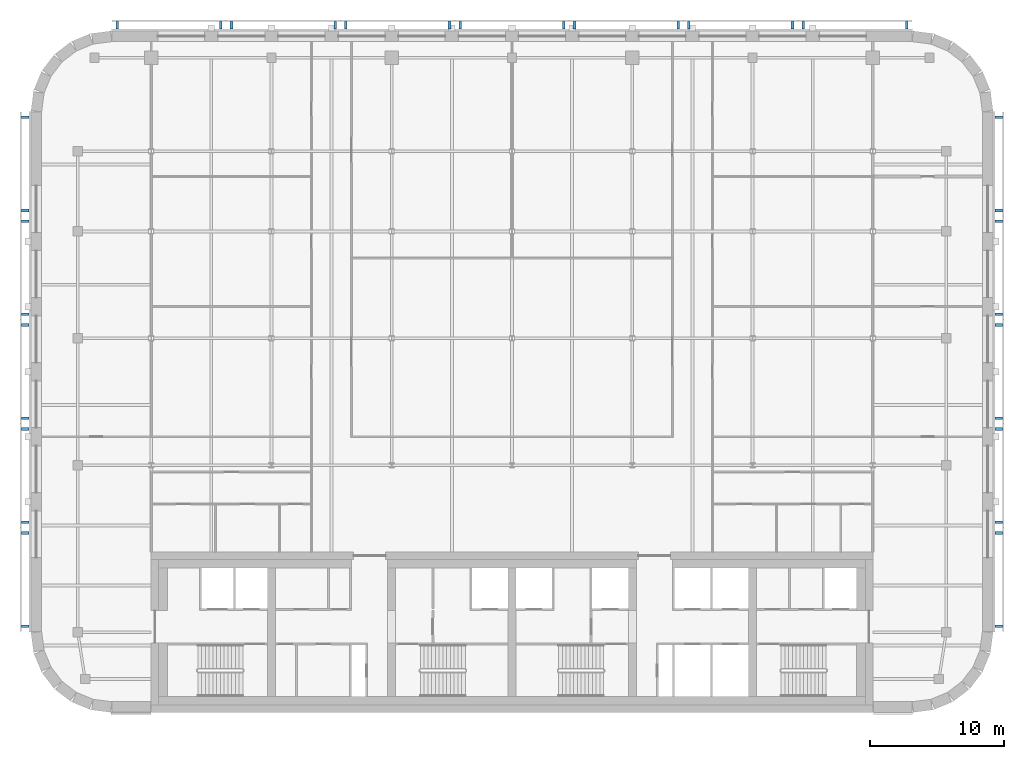
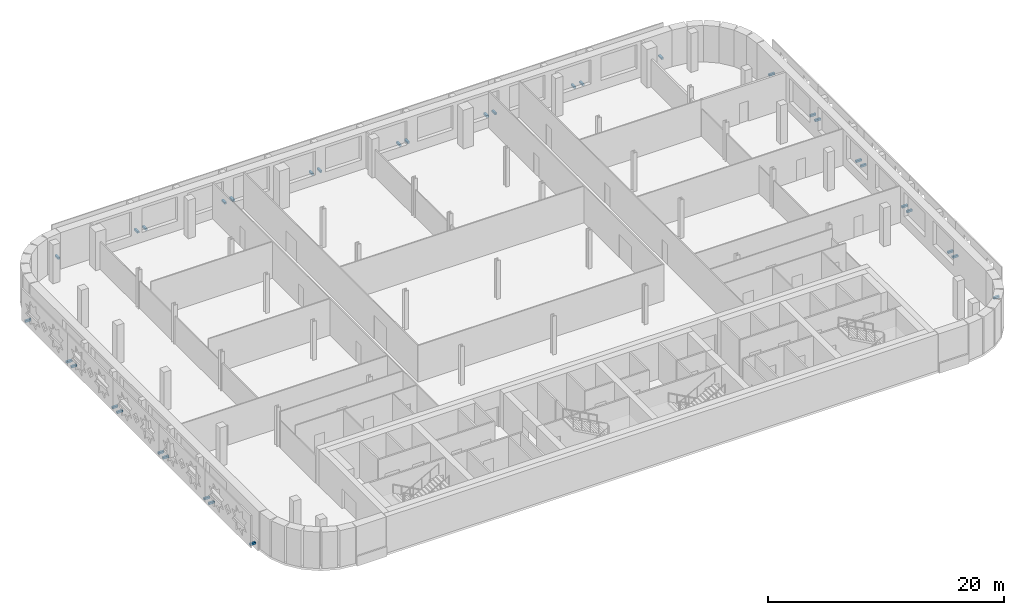
# One storey, part 12 of 16: 34 discrete accessories.
"""IFC4 building model written with IfcOpenShell, lengths in metres."""

from ifc_helpers import new_model, si_unit, direction, frame, origin, origin_2d, place, context, subcontext, project, spatial, rectangle, extrude, material, type_object, element, save


model = new_model("IFC4")

# Units and contexts
model_context = context("Model", 3, precision=1e-05, world=origin(), true_north=direction((0.0, 1.0)))
body_context = subcontext(model_context, "Body", "Model", "MODEL_VIEW")
ifc_project = project(units=[si_unit("LENGTHUNIT", "METRE"), si_unit("AREAUNIT", "SQUARE_METRE"), si_unit("VOLUMEUNIT", "CUBIC_METRE"), si_unit("PLANEANGLEUNIT", "RADIAN"), si_unit("MASSUNIT", "GRAM", prefix="KILO")], contexts=[model_context])

# Site, building, storey
site_placement = place(None, origin())
site = spatial("IfcSite", under=ifc_project, at=site_placement, CompositionType="ELEMENT")
building_placement = place(site_placement, origin())
building = spatial("IfcBuilding", under=site, at=building_placement, Name="Zellij Exchange Tower", CompositionType="ELEMENT")
storey_placement = place(building_placement, frame((0.0, 0.0, 280.5)))
storey = spatial("IfcBuildingStorey", under=building, at=storey_placement, Name="L66", CompositionType="ELEMENT", Elevation=280.5)

# Discrete accessories
ifc_material = material(Name="Stainless steel", Category="steel")
discrete_accessory_type = type_object("IfcDiscreteAccessoryType", Name="ENV-BR1 Stone panel bracket 200", PredefinedType="USERDEFINED", material=ifc_material)
for number, where, z_axis, x_axis, name in (
    (1, (-36.425048828125, 30.547607421875, 0.2998046875), (0.0, 0.0, 1.0), (0.0, -1.0, 0.0), "Panel bracket"),
    (2, (-36.425048828125, 23.568603515625, 0.2998046875), (0.0, 0.0, 1.0), (0.0, -1.0, 0.0), "Panel bracket"),
    (3, (-36.425048828125, 22.7685546875, 0.2998046875), (0.0, 0.0, 1.0), (0.0, -1.0, 0.0), "Panel bracket"),
    (4, (-36.425048828125, 15.78955078125, 0.2998046875), (0.0, 0.0, 1.0), (0.0, -1.0, 0.0), "Panel bracket"),
    (5, (-36.425048828125, 14.989501953125, 0.2998046875), (0.0, 0.0, 1.0), (0.0, -1.0, 0.0), "Panel bracket"),
    (6, (-36.425048828125, 8.010498046875, 0.2998046875), (0.0, 0.0, 1.0), (0.0, -1.0, 0.0), "Panel bracket"),
    (7, (-36.425048828125, 7.21044921875, 0.2998046875), (0.0, 0.0, 1.0), (0.0, -1.0, 0.0), "Panel bracket"),
    (8, (-36.425048828125, 0.2314453125, 0.2998046875), (0.0, 0.0, 1.0), (0.0, -1.0, 0.0), "Panel bracket"),
    (9, (-36.425048828125, -0.568603515625, 0.2998046875), (0.0, 0.0, 1.0), (0.0, -1.0, 0.0), "Panel bracket"),
    (10, (-36.425048828125, -7.547607421875, 0.2998046875), (0.0, 0.0, 1.0), (0.0, -1.0, 0.0), "Panel bracket"),
    (11, (29.547607421875, 37.425048828125, 0.2998046875), (0.0, 0.0, 1.0), (-1.0, 0.0, 0.0), "Panel bracket"),
    (12, (21.791015625, 37.425048828125, 0.2998046875), (0.0, 0.0, 1.0), (-1.0, 0.0, 0.0), "Panel bracket"),
    (13, (20.9912109375, 37.425048828125, 0.2998046875), (0.0, 0.0, 1.0), (-1.0, 0.0, 0.0), "Panel bracket"),
    (14, (13.234619140625, 37.425048828125, 0.2998046875), (0.0, 0.0, 1.0), (-1.0, 0.0, 0.0), "Panel bracket"),
    (15, (12.434814453125, 37.425048828125, 0.2998046875), (0.0, 0.0, 1.0), (-1.0, 0.0, 0.0), "Panel bracket"),
    (16, (4.67822265625, 37.425048828125, 0.2998046875), (0.0, 0.0, 1.0), (-1.0, 0.0, 0.0), "Panel bracket"),
    (17, (3.878173828125, 37.425048828125, 0.2998046875), (0.0, 0.0, 1.0), (-1.0, 0.0, 0.0), "Panel bracket"),
    (18, (-3.878173828125, 37.425048828125, 0.2998046875), (0.0, 0.0, 1.0), (-1.0, 0.0, 0.0), "Panel bracket"),
    (19, (-4.67822265625, 37.425048828125, 0.2998046875), (0.0, 0.0, 1.0), (-1.0, 0.0, 0.0), "Panel bracket"),
    (20, (-12.434814453125, 37.425048828125, 0.2998046875), (0.0, 0.0, 1.0), (-1.0, 0.0, 0.0), "Panel bracket"),
    (21, (-13.234619140625, 37.425048828125, 0.2998046875), (0.0, 0.0, 1.0), (-1.0, 0.0, 0.0), "Panel bracket"),
    (22, (-20.9912109375, 37.425048828125, 0.2998046875), (0.0, 0.0, 1.0), (-1.0, 0.0, 0.0), "Panel bracket"),
    (23, (-21.791015625, 37.425048828125, 0.2998046875), (0.0, 0.0, 1.0), (-1.0, 0.0, 0.0), "Panel bracket"),
    (24, (-29.547607421875, 37.425048828125, 0.2998046875), (0.0, 0.0, 1.0), (-1.0, 0.0, 0.0), "Panel bracket"),
    (25, (36.425048828125, -7.547607421875, 0.2998046875), (0.0, 0.0, 1.0), (0.0, 1.0, 0.0), "Panel bracket"),
    (26, (36.425048828125, -0.568603515625, 0.2998046875), (0.0, 0.0, 1.0), (0.0, 1.0, 0.0), "Panel bracket"),
    (27, (36.425048828125, 0.2314453125, 0.2998046875), (0.0, 0.0, 1.0), (0.0, 1.0, 0.0), "Panel bracket"),
    (28, (36.425048828125, 7.21044921875, 0.2998046875), (0.0, 0.0, 1.0), (0.0, 1.0, 0.0), "Panel bracket"),
    (29, (36.425048828125, 8.010498046875, 0.2998046875), (0.0, 0.0, 1.0), (0.0, 1.0, 0.0), "Panel bracket"),
    (30, (36.425048828125, 14.989501953125, 0.2998046875), (0.0, 0.0, 1.0), (0.0, 1.0, 0.0), "Panel bracket"),
    (31, (36.425048828125, 15.78955078125, 0.2998046875), (0.0, 0.0, 1.0), (0.0, 1.0, 0.0), "Panel bracket"),
    (32, (36.425048828125, 22.7685546875, 0.2998046875), (0.0, 0.0, 1.0), (0.0, 1.0, 0.0), "Panel bracket"),
    (33, (36.425048828125, 23.568603515625, 0.2998046875), (0.0, 0.0, 1.0), (0.0, 1.0, 0.0), "Panel bracket"),
    (34, (36.425048828125, 30.547607421875, 0.2998046875), (0.0, 0.0, 1.0), (0.0, 1.0, 0.0), "Panel bracket"),
):
    element("IfcDiscreteAccessory", number, at=place(storey_placement, frame(where, z_axis=z_axis, x_axis=x_axis)), inside=storey, type_object=discrete_accessory_type, Name=name, ObjectType="BRACKET", PredefinedType="USERDEFINED", context=body_context, shape_type="SweptSolid", body=[
        extrude(rectangle(XDim=0.199951171875, YDim=0.550048828125, at=origin_2d()), origin(), (0.0, 0.0, 1.0), 0.199951171875),
    ])

save(model, "model.ifc")
